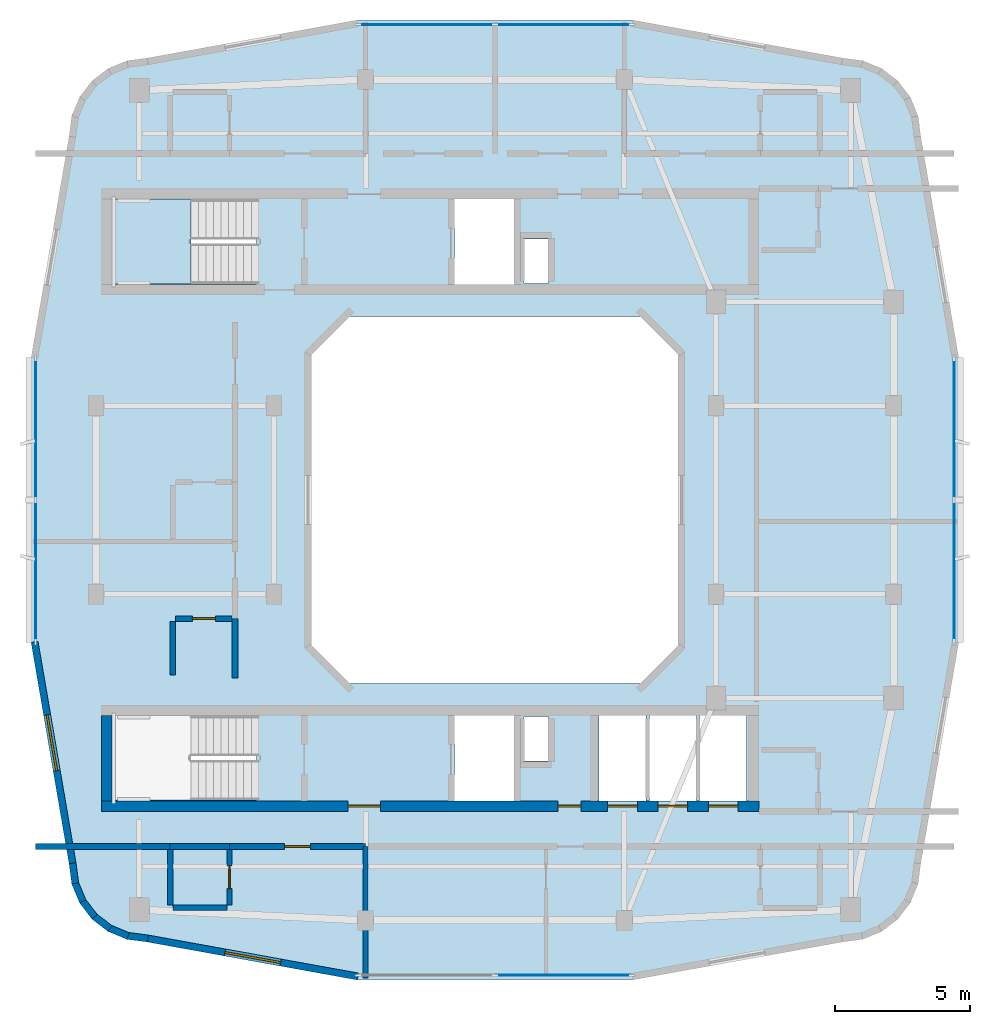
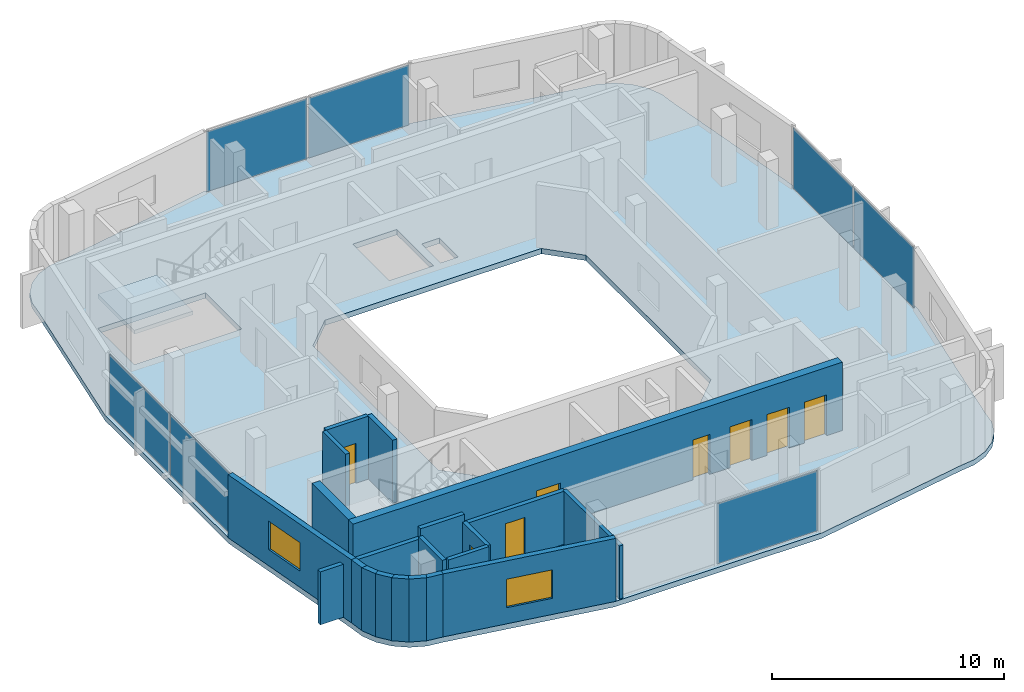
# One storey, part 3 of 8: 20 walls, 8 doors, 7 plates, 2 slabs, 2 windows, 10 openings, 5 elements without a shape of their own.
"""IFC4 building model written with IfcOpenShell, lengths in metres."""

from ifc_helpers import new_model, si_unit, derived_unit, direction, frame, frame_2d, origin, origin_2d, place, context, subcontext, project, spatial, polyline, rectangle, outline, extrude, material, layer, layer_set, type_object, element, fill, aggregate, save


model = new_model("IFC4")

# Units and contexts
model_context = context("Model", 3, precision=1e-05, world=origin(), true_north=direction((0.0, 1.0)))
body_context = subcontext(model_context, "Body", "Model", "MODEL_VIEW")
ifc_project = project(units=[si_unit("LENGTHUNIT", "METRE"), si_unit("AREAUNIT", "SQUARE_METRE"), si_unit("VOLUMEUNIT", "CUBIC_METRE"), si_unit("PLANEANGLEUNIT", "RADIAN"), si_unit("MASSUNIT", "GRAM", prefix="KILO"), derived_unit("THERMALTRANSMITTANCEUNIT", [(si_unit("POWERUNIT", "WATT"), 1), (si_unit("LENGTHUNIT", "METRE"), -2), (si_unit("THERMODYNAMICTEMPERATUREUNIT", "KELVIN"), -1)])], contexts=[model_context])

# Site, building, storey
site_placement = place(None, origin())
site = spatial("IfcSite", under=ifc_project, at=site_placement, CompositionType="ELEMENT")
building_placement = place(site_placement, origin())
building = spatial("IfcBuilding", under=site, at=building_placement, Name="Kivonza Crest Hotel", CompositionType="ELEMENT")
storey_placement = place(building_placement, frame((0.0, 0.0, 261.199951171875)))
storey = spatial("IfcBuildingStorey", under=building, at=storey_placement, Name="L71", CompositionType="ELEMENT", Elevation=261.199951171875)

# Curtain wall, plate
ifc_material_1 = material(Name="Anodised bronze aluminium and low-E double glazing", Category="aluminium")
ifc_layer_1 = layer(ifc_material_1, 0.179931640625)
ifc_layer_set_1 = layer_set([ifc_layer_1], Name="Anodised bronze aluminium and low-E double glazing")
curtain_wall_type = type_object("IfcCurtainWallType", Name="CW-SYS-3", PredefinedType="NOTDEFINED", material=ifc_layer_set_1)
curtain_wall_1_placement = place(storey_placement, origin())
curtain_wall_1 = element("IfcCurtainWall", 1, at=curtain_wall_1_placement, inside=storey, type_object=curtain_wall_type, Name="L71 unitised curtain wall CW-T1-L71-08", PredefinedType="NOTDEFINED")
ifc_material_2 = material(Name="Acoustic triple-laminated low-E glazing", Category="glass")
ifc_layer_2 = layer(ifc_material_2, 0.035888671875)
ifc_layer_set_2 = layer_set([ifc_layer_2], Name="Acoustic triple-laminated low-E glazing")
plate_type = type_object("IfcPlateType", Name="CW-PNL-36", PredefinedType="CURTAIN_PANEL", material=ifc_layer_set_2)
plate_1_placement = place(storey_placement, frame((23.541259765625, 7.360107421875, 0.0751953125), z_axis=(0.0, 0.0, 1.0), x_axis=(1.0, 0.0, 0.0)))
plate_1 = element("IfcPlate", 2, at=plate_1_placement, type_object=plate_type, Name="CW-3 panel 2.1", PredefinedType="CURTAIN_PANEL", context=body_context, shape_type="SweptSolid", body=[
    extrude(rectangle(XDim=5.007568359375, YDim=0.035888671875, at=origin_2d()), origin(), (0.0, 0.0, 1.0), 3.169921875),
])
aggregate(curtain_wall_1, [plate_1])

# Curtain wall, plates
curtain_wall_2_placement = place(storey_placement, origin())
curtain_wall_2 = element("IfcCurtainWall", 3, at=curtain_wall_2_placement, inside=storey, type_object=curtain_wall_type, Name="L71 unitised curtain wall CW-T1-L71-17", PredefinedType="NOTDEFINED")
plate_2_placement = place(storey_placement, frame((38.0400390625, 22.36865234375, 0.0751953125), z_axis=(0.0, 0.0, 1.0), x_axis=(0.0, 1.0, 0.0)))
plate_2 = element("IfcPlate", 4, at=plate_2_placement, type_object=plate_type, Name="CW-3 panel 1.1", PredefinedType="CURTAIN_PANEL", context=body_context, shape_type="SweptSolid", body=[
    extrude(rectangle(XDim=5.1875, YDim=0.035888671875, at=origin_2d()), origin(), (0.0, 0.0, 1.0), 3.169921875),
])
plate_3_placement = place(storey_placement, frame((38.0400390625, 27.63134765625, 0.0751953125), z_axis=(0.0, 0.0, 1.0), x_axis=(0.0, 1.0, 0.0)))
plate_3 = element("IfcPlate", 5, at=plate_3_placement, type_object=plate_type, Name="CW-3 panel 2.1", PredefinedType="CURTAIN_PANEL", context=body_context, shape_type="SweptSolid", body=[
    extrude(rectangle(XDim=5.1875, YDim=0.035888671875, at=origin_2d()), origin(), (0.0, 0.0, 1.0), 3.169921875),
])
aggregate(curtain_wall_2, [plate_2, plate_3])

curtain_wall_3_placement = place(storey_placement, origin())
curtain_wall_3 = element("IfcCurtainWall", 6, at=curtain_wall_3_placement, inside=storey, type_object=curtain_wall_type, Name="L71 unitised curtain wall CW-T1-L71-26", PredefinedType="NOTDEFINED")
plate_4_placement = place(storey_placement, frame((23.541259765625, 42.639892578125, 0.0751953125), z_axis=(0.0, 0.0, 1.0), x_axis=(-1.0, 0.0, 0.0)))
plate_4 = element("IfcPlate", 7, at=plate_4_placement, type_object=plate_type, Name="CW-3 panel 1.1", PredefinedType="CURTAIN_PANEL", context=body_context, shape_type="SweptSolid", body=[
    extrude(rectangle(XDim=5.007568359375, YDim=0.035888671875, at=origin_2d()), origin(), (0.0, 0.0, 1.0), 3.169921875),
])
plate_5_placement = place(storey_placement, frame((18.458740234375, 42.639892578125, 0.0751953125), z_axis=(0.0, 0.0, 1.0), x_axis=(-1.0, 0.0, 0.0)))
plate_5 = element("IfcPlate", 8, at=plate_5_placement, type_object=plate_type, Name="CW-3 panel 2.1", PredefinedType="CURTAIN_PANEL", context=body_context, shape_type="SweptSolid", body=[
    extrude(rectangle(XDim=5.007568359375, YDim=0.035888671875, at=origin_2d()), origin(), (0.0, 0.0, 1.0), 3.169921875),
])
aggregate(curtain_wall_3, [plate_4, plate_5])

curtain_wall_4_placement = place(storey_placement, origin())
curtain_wall_4 = element("IfcCurtainWall", 9, at=curtain_wall_4_placement, inside=storey, type_object=curtain_wall_type, Name="L71 unitised curtain wall CW-T1-L71-35", PredefinedType="NOTDEFINED")
plate_6_placement = place(storey_placement, frame((3.9599609375, 27.63134765625, 0.0751953125), z_axis=(0.0, 0.0, 1.0), x_axis=(0.0, -1.0, 0.0)))
plate_6 = element("IfcPlate", 10, at=plate_6_placement, type_object=plate_type, Name="CW-3 panel 1.1", PredefinedType="CURTAIN_PANEL", context=body_context, shape_type="SweptSolid", body=[
    extrude(rectangle(XDim=5.1875, YDim=0.035888671875, at=origin_2d()), origin(), (0.0, 0.0, 1.0), 3.169921875),
])
plate_7_placement = place(storey_placement, frame((3.9599609375, 22.36865234375, 0.0751953125), z_axis=(0.0, 0.0, 1.0), x_axis=(0.0, -1.0, 0.0)))
plate_7 = element("IfcPlate", 11, at=plate_7_placement, type_object=plate_type, Name="CW-3 panel 2.1", PredefinedType="CURTAIN_PANEL", context=body_context, shape_type="SweptSolid", body=[
    extrude(rectangle(XDim=5.1875, YDim=0.035888671875, at=origin_2d()), origin(), (0.0, 0.0, 1.0), 3.169921875),
])
aggregate(curtain_wall_4, [plate_6, plate_7])

# Slab
ifc_material_3 = material(Name="Concrete C40/50", Category="concrete")
ifc_layer_3 = layer(ifc_material_3, 0.280029296875)
ifc_layer_set_3 = layer_set([ifc_layer_3], Name="Concrete C40/50")
slab_type_1 = type_object("IfcSlabType", Name="SL-HTL-280", PredefinedType="FLOOR", material=ifc_layer_set_3)
slab_1_placement = place(storey_placement, frame((0.0, 0.0, -0.280029296875)))
element("IfcSlab", 12, at=slab_1_placement, inside=storey, type_object=slab_type_1, Name="Tower T1 L71 floor slab", PredefinedType="FLOOR", context=body_context, shape_type="SweptSolid", body=[
    extrude(outline(polyline([(5.199951171875, 11.5), (5.299072265625, 10.7490234375), (5.589111328125, 10.050048828125), (6.049072265625, 9.448974609375), (6.64990234375, 8.989013671875), (7.34912109375, 8.698974609375), (8.10009765625, 8.60009765625), (15.840087890625, 7.199951171875), (26.159912109375, 7.199951171875), (33.89990234375, 8.60009765625), (34.65087890625, 8.698974609375), (35.35009765625, 8.989013671875), (35.950927734375, 9.448974609375), (36.410888671875, 10.050048828125), (36.700927734375, 10.7490234375), (36.800048828125, 11.5), (38.199951171875, 19.659912109375), (38.199951171875, 30.340087890625), (36.800048828125, 38.5), (36.700927734375, 39.2509765625), (36.410888671875, 39.949951171875), (35.950927734375, 40.551025390625), (35.35009765625, 41.010986328125), (34.65087890625, 41.301025390625), (33.89990234375, 41.39990234375), (26.159912109375, 42.800048828125), (15.840087890625, 42.800048828125), (8.10009765625, 41.39990234375), (7.34912109375, 41.301025390625), (6.64990234375, 41.010986328125), (6.049072265625, 40.551025390625), (5.589111328125, 39.949951171875), (5.299072265625, 39.2509765625), (5.199951171875, 38.5), (3.800048828125, 30.340087890625), (3.800048828125, 19.659912109375), (5.199951171875, 11.5)]), holes=[polyline([(15.60009765625, 18.199951171875), (26.39990234375, 18.199951171875), (27.800048828125, 19.60009765625), (27.800048828125, 30.39990234375), (26.39990234375, 31.800048828125), (15.60009765625, 31.800048828125), (14.199951171875, 30.39990234375), (14.199951171875, 19.60009765625), (15.60009765625, 18.199951171875)]), polyline([(6.800048828125, 33.02001953125), (12.159912109375, 33.02001953125), (12.159912109375, 36.159912109375), (6.800048828125, 36.159912109375), (6.800048828125, 33.02001953125)]), polyline([(6.800048828125, 13.860107421875), (12.159912109375, 13.860107421875), (12.159912109375, 17.0), (6.800048828125, 17.0), (6.800048828125, 13.860107421875)]), polyline([(22.080078125, 33.0400390625), (22.969970703125, 33.0400390625), (22.969970703125, 34.679931640625), (22.080078125, 34.679931640625), (22.080078125, 33.0400390625)]), polyline([(22.080078125, 15.320068359375), (22.969970703125, 15.320068359375), (22.969970703125, 16.9599609375), (22.080078125, 16.9599609375), (22.080078125, 15.320068359375)]), polyline([(19.5, 33.0), (21.699951171875, 33.0), (21.699951171875, 36.159912109375), (19.5, 36.159912109375), (19.5, 33.0)]), polyline([(19.5, 13.840087890625), (21.699951171875, 13.840087890625), (21.699951171875, 17.0), (19.5, 17.0), (19.5, 13.840087890625)]), polyline([(24.860107421875, 13.840087890625), (26.60693359375, 13.840087890625), (26.60693359375, 17.0), (24.860107421875, 17.0), (24.860107421875, 13.840087890625)]), polyline([(26.72705078125, 13.840087890625), (28.472900390625, 13.840087890625), (28.472900390625, 17.0), (26.72705078125, 17.0), (26.72705078125, 13.840087890625)]), polyline([(28.593017578125, 13.840087890625), (30.340087890625, 13.840087890625), (30.340087890625, 17.0), (28.593017578125, 17.0), (28.593017578125, 13.840087890625)])]), origin(), (0.0, 0.0, 1.0), 0.280029296875),
])

# Stair, slab
stair_type = type_object("IfcStairType", Name="ST-DL-20R", PredefinedType="HALF_TURN_STAIR", material=ifc_material_3)
stair_placement = place(storey_placement, origin())
stair = element("IfcStair", 13, at=stair_placement, inside=storey, type_object=stair_type, Name="L71 Protected Exit Stair ST-T1-N", PredefinedType="HALF_TURN_STAIR")
ifc_layer_4 = layer(ifc_material_3, 0.199951171875)
ifc_layer_set_4 = layer_set([ifc_layer_4], Name="Concrete C40/50")
slab_type_2 = type_object("IfcSlabType", Name="SL-LAND-200", PredefinedType="LANDING", material=ifc_layer_set_4)
slab_2_placement = place(storey_placement, frame((0.0, 0.0, 1.60009765625)))
slab_2 = element("IfcSlab", 14, at=slab_2_placement, type_object=slab_type_2, Name="ST-T1-N landing 1", PredefinedType="LANDING", context=body_context, shape_type="SweptSolid", body=[
    extrude(outline(polyline([(9.719970703125, 36.159912109375), (6.800048828125, 36.159912109375), (6.800048828125, 33.02001953125), (9.719970703125, 33.02001953125), (9.719970703125, 36.159912109375)])), origin(), (0.0, 0.0, 1.0), 0.199951171875),
])
aggregate(stair, [slab_2])

# Walls
ifc_material_4 = material(Name="High-density acoustic masonry inter-tenancy wall", Category="masonry")
ifc_layer_5 = layer(ifc_material_4, 0.179931640625)
ifc_layer_set_5 = layer_set([ifc_layer_5], Name="High-density acoustic masonry inter-tenancy wall")
wall_type_1 = type_object("IfcWallType", Name="WL-ACOU-180", PredefinedType="SOLIDWALL", material=ifc_layer_set_5)
wall_1_placement = place(storey_placement, frame((16.199951171875, 7.260009765625, 0.0), z_axis=(0.0, 0.0, 1.0), x_axis=(0.0, 1.0, 0.0)))
element("IfcWall", 15, at=wall_1_placement, inside=storey, type_object=wall_type_1, Name="L71 interior partition WA-L71-T1S-DIV1", PredefinedType="SOLIDWALL", context=body_context, shape_type="SweptSolid", body=[
    extrude(rectangle(XDim=4.8798828125, YDim=0.179931640625, at=frame_2d((2.43994140625, 0.0))), origin(), (0.0, 0.0, 1.0), 2.795166015625),
])
ifc_material_5 = material(Name="Autoclaved aerated concrete blockwork", Category="masonry")
ifc_layer_6 = layer(ifc_material_5, 0.219970703125)
ifc_layer_set_6 = layer_set([ifc_layer_6], Name="Autoclaved aerated concrete blockwork")
wall_type_2 = type_object("IfcWallType", Name="WL-ACOU-220", PredefinedType="SOLIDWALL", material=ifc_layer_set_6)
wall_2_placement = place(storey_placement, frame((3.9599609375, 12.139892578125, 0.0), z_axis=(0.0, 0.0, 1.0), x_axis=(1.0, 0.0, 0.0)))
element("IfcWall", 16, at=wall_2_placement, inside=storey, type_object=wall_type_2, Name="L71 interior partition WA-L71-S03-XCORR", PredefinedType="SOLIDWALL", context=body_context, shape_type="SweptSolid", body=[
    extrude(rectangle(XDim=4.989990234375, YDim=0.219970703125, at=frame_2d((2.4951171875, 0.0))), origin(), (0.0, 0.0, 1.0), 2.795166015625),
])
wall_3_placement = place(storey_placement, frame((8.949951171875, 12.139892578125, 0.0), z_axis=(0.0, 0.0, 1.0), x_axis=(1.0, 0.0, 0.0)))
element("IfcWall", 17, at=wall_3_placement, inside=storey, type_object=wall_type_2, Name="L71 interior partition WA-L71-S03-BCORR", PredefinedType="SOLIDWALL", context=body_context, shape_type="SweptSolid", body=[
    extrude(rectangle(XDim=2.199951171875, YDim=0.219970703125, at=frame_2d((1.10009765625, 0.0))), origin(), (0.0, 0.0, 1.0), 3.320068359375),
])

# Wall, opening, door
wall_4_placement = place(storey_placement, frame((11.14990234375, 12.139892578125, 0.0), z_axis=(0.0, 0.0, 1.0), x_axis=(1.0, 0.0, 0.0)))
wall_4 = element("IfcWall", 18, at=wall_4_placement, inside=storey, type_object=wall_type_2, Name="L71 interior partition WA-L71-S03-MCORR", PredefinedType="SOLIDWALL", context=body_context, shape_type="SweptSolid", body=[
    extrude(rectangle(XDim=5.050048828125, YDim=0.219970703125, at=frame_2d((2.52490234375, 0.0))), origin(), (0.0, 0.0, 1.0), 2.795166015625),
])
opening_1_placement = place(wall_4_placement, frame((2.050048828125, 0.0, 0.0)))
opening_1 = element("IfcOpeningElement", 19, at=opening_1_placement, cuts=wall_4, Name="Opening DU-60", PredefinedType="OPENING", context=body_context, shape_type="SweptSolid", body=[
    extrude(rectangle(XDim=0.949951171875, YDim=2.10009765625, at=frame_2d((0.47509765625, 1.050048828125))), frame((0.0, 0.1201171875, 0.0), z_axis=(0.0, -1.0, 0.0), x_axis=(1.0, 0.0, 0.0)), (0.0, 0.0, 1.0), 0.239990234375),
])
ifc_material_6 = material(Name="Hardwood timber oak", Category="wood")
door_type_1 = type_object("IfcDoorType", Name="DR-UNIT-950", OperationType="NOTDEFINED", PredefinedType="DOOR", material=ifc_material_6)
door_1_placement = place(opening_1_placement, frame((0.949951171875, 0.0, 0.0), z_axis=(0.0, 0.0, 1.0), x_axis=(-1.0, 0.0, 0.0)))
door_1 = element("IfcDoor", 20, at=door_1_placement, inside=storey, type_object=door_type_1, Name="L71 S03 guest unit entrance fire door", OperationType="SINGLE_SWING_LEFT", OverallHeight=2.10009765625, OverallWidth=0.949951171875, PredefinedType="DOOR", context=body_context, shape_type="SweptSolid", body=[
    extrude(rectangle(XDim=0.949951171875, YDim=2.10009765625, at=frame_2d((0.47509765625, 1.050048828125))), frame((0.0, 0.02490234375, 0.0), z_axis=(0.0, -1.0, 0.0), x_axis=(1.0, 0.0, 0.0)), (0.0, 0.0, 1.0), 0.050048828125),
])
fill(opening_1, door_1)

# Wall
wall_5_placement = place(storey_placement, frame((11.35009765625, 18.39990234375, 0.0), z_axis=(0.0, 0.0, 1.0), x_axis=(0.0, 1.0, 0.0)))
element("IfcWall", 21, at=wall_5_placement, inside=storey, type_object=wall_type_2, Name="L71 interior partition WA-L71-W05-BCORR", PredefinedType="SOLIDWALL", context=body_context, shape_type="SweptSolid", body=[
    extrude(rectangle(XDim=2.2001953125, YDim=0.219970703125, at=frame_2d((1.10009765625, 0.0))), origin(), (0.0, 0.0, 1.0), 3.320068359375),
])

# Wall, openings, doors
ifc_material_7 = material(Name="Concrete C50/60", Category="concrete")
ifc_layer_7 = layer(ifc_material_7, 0.39990234375)
ifc_layer_set_7 = layer_set([ifc_layer_7], Name="Concrete C50/60")
wall_type_3 = type_object("IfcWallType", Name="WL-CORE-400", PredefinedType="SHEAR", material=ifc_layer_set_7)
wall_6_placement = place(storey_placement, frame((6.39990234375, 13.639892578125, 0.0), z_axis=(0.0, 0.0, 1.0), x_axis=(1.0, 0.0, 0.0)))
wall_6 = element("IfcWall", 22, at=wall_6_placement, inside=storey, type_object=wall_type_3, Name="Core wall T1-S South L71", PredefinedType="SHEAR", context=body_context, shape_type="SweptSolid", body=[
    extrude(rectangle(XDim=24.400146484375, YDim=0.39990234375, at=frame_2d((12.2001953125, 0.0))), origin(), (0.0, 0.0, 1.0), 3.60009765625),
])
opening_2_placement = place(wall_6_placement, frame((9.14990234375, 0.0, 0.0)))
opening_2 = element("IfcOpeningElement", 23, at=opening_2_placement, cuts=wall_6, Name="Opening DF-60", PredefinedType="OPENING", context=body_context, shape_type="SweptSolid", body=[
    extrude(rectangle(XDim=1.199951171875, YDim=2.14990234375, at=frame_2d((0.60009765625, 1.074951171875))), frame((0.0, 0.2099609375, 0.0), z_axis=(0.0, -1.0, 0.0), x_axis=(1.0, 0.0, 0.0)), (0.0, 0.0, 1.0), 0.419921875),
])
opening_3_placement = place(wall_6_placement, frame((16.93994140625, 0.0, 0.0)))
opening_3 = element("IfcOpeningElement", 24, at=opening_3_placement, cuts=wall_6, Name="Opening DF-60R", PredefinedType="OPENING", context=body_context, shape_type="SweptSolid", body=[
    extrude(rectangle(XDim=0.85009765625, YDim=2.10009765625, at=frame_2d((0.425048828125, 1.050048828125))), frame((0.0, 0.2099609375, 0.0), z_axis=(0.0, -1.0, 0.0), x_axis=(1.0, 0.0, 0.0)), (0.0, 0.0, 1.0), 0.419921875),
])
opening_4_placement = place(wall_6_placement, frame((18.782958984375, 0.0, 0.0)))
opening_4 = element("IfcOpeningElement", 25, at=opening_4_placement, cuts=wall_6, Name="Opening LD-120", PredefinedType="OPENING", context=body_context, shape_type="SweptSolid", body=[
    extrude(rectangle(XDim=1.10009765625, YDim=2.14990234375, at=frame_2d((0.550048828125, 1.074951171875))), frame((0.0, 0.2099609375, 0.0), z_axis=(0.0, -1.0, 0.0), x_axis=(1.0, 0.0, 0.0)), (0.0, 0.0, 1.0), 0.419921875),
])
opening_5_placement = place(wall_6_placement, frame((20.64990234375, 0.0, 0.0)))
opening_5 = element("IfcOpeningElement", 26, at=opening_5_placement, cuts=wall_6, Name="Opening LD-120", PredefinedType="OPENING", context=body_context, shape_type="SweptSolid", body=[
    extrude(rectangle(XDim=1.10009765625, YDim=2.14990234375, at=frame_2d((0.550048828125, 1.074951171875))), frame((0.0, 0.2099609375, 0.0), z_axis=(0.0, -1.0, 0.0), x_axis=(1.0, 0.0, 0.0)), (0.0, 0.0, 1.0), 0.419921875),
])
opening_6_placement = place(wall_6_placement, frame((22.51708984375, 0.0, 0.0)))
opening_6 = element("IfcOpeningElement", 27, at=opening_6_placement, cuts=wall_6, Name="Opening LD-120", PredefinedType="OPENING", context=body_context, shape_type="SweptSolid", body=[
    extrude(rectangle(XDim=1.10009765625, YDim=2.14990234375, at=frame_2d((0.550048828125, 1.074951171875))), frame((0.0, 0.2099609375, 0.0), z_axis=(0.0, -1.0, 0.0), x_axis=(1.0, 0.0, 0.0)), (0.0, 0.0, 1.0), 0.419921875),
])
door_type_2 = type_object("IfcDoorType", Name="DR-FD60-1200", OperationType="NOTDEFINED", PredefinedType="DOOR", material=ifc_material_6)
door_2_placement = place(opening_2_placement, frame((1.199951171875, 0.0, 0.0), z_axis=(0.0, 0.0, 1.0), x_axis=(-1.0, 0.0, 0.0)))
door_2 = element("IfcDoor", 28, at=door_2_placement, inside=storey, type_object=door_type_2, Name="L71 T1-S firefighting lobby fire door", OperationType="SINGLE_SWING_LEFT", OverallHeight=2.14990234375, OverallWidth=1.199951171875, PredefinedType="DOOR", context=body_context, shape_type="SweptSolid", body=[
    extrude(rectangle(XDim=1.199951171875, YDim=2.14990234375, at=frame_2d((0.60009765625, 1.074951171875))), frame((0.0, 0.02490234375, 0.0), z_axis=(0.0, -1.0, 0.0), x_axis=(1.0, 0.0, 0.0)), (0.0, 0.0, 1.0), 0.050048828125),
])
fill(opening_2, door_2)
door_type_3 = type_object("IfcDoorType", Name="DR-FD60-850", OperationType="NOTDEFINED", PredefinedType="DOOR", material=ifc_material_6)
door_3_placement = place(opening_3_placement, frame((0.85009765625, 0.0, 0.0), z_axis=(0.0, 0.0, 1.0), x_axis=(-1.0, 0.0, 0.0)))
door_3 = element("IfcDoor", 29, at=door_3_placement, inside=storey, type_object=door_type_3, Name="L71 T1-S core room door", OperationType="SINGLE_SWING_RIGHT", OverallHeight=2.10009765625, OverallWidth=0.85009765625, PredefinedType="DOOR", context=body_context, shape_type="SweptSolid", body=[
    extrude(rectangle(XDim=0.85009765625, YDim=2.10009765625, at=frame_2d((0.425048828125, 1.050048828125))), frame((0.0, 0.02490234375, 0.0), z_axis=(0.0, -1.0, 0.0), x_axis=(1.0, 0.0, 0.0)), (0.0, 0.0, 1.0), 0.050048828125),
])
fill(opening_3, door_3)
ifc_material_8 = material(Name="Stainless steel", Category="steel")
door_type_4 = type_object("IfcDoorType", Name="DR-LD120-1100", OperationType="NOTDEFINED", PredefinedType="DOOR", material=ifc_material_8)
door_4_placement = place(opening_4_placement, frame((1.10009765625, 0.0, 0.0), z_axis=(0.0, 0.0, 1.0), x_axis=(-1.0, 0.0, 0.0)))
door_4 = element("IfcDoor", 30, at=door_4_placement, inside=storey, type_object=door_type_4, Name="L71 PL-T1-H1 passenger lift sliding landing door", OperationType="DOUBLE_DOOR_SLIDING", OverallHeight=2.14990234375, OverallWidth=1.10009765625, PredefinedType="DOOR", context=body_context, shape_type="SweptSolid", body=[
    extrude(rectangle(XDim=1.10009765625, YDim=2.14990234375, at=frame_2d((0.550048828125, 1.074951171875))), frame((0.0, 0.02490234375, 0.0), z_axis=(0.0, -1.0, 0.0), x_axis=(1.0, 0.0, 0.0)), (0.0, 0.0, 1.0), 0.050048828125),
])
fill(opening_4, door_4)
door_5_placement = place(opening_5_placement, frame((1.10009765625, 0.0, 0.0), z_axis=(0.0, 0.0, 1.0), x_axis=(-1.0, 0.0, 0.0)))
door_5 = element("IfcDoor", 31, at=door_5_placement, inside=storey, type_object=door_type_4, Name="L71 PL-T1-H2 passenger lift sliding landing door", OperationType="DOUBLE_DOOR_SLIDING", OverallHeight=2.14990234375, OverallWidth=1.10009765625, PredefinedType="DOOR", context=body_context, shape_type="SweptSolid", body=[
    extrude(rectangle(XDim=1.10009765625, YDim=2.14990234375, at=frame_2d((0.550048828125, 1.074951171875))), frame((0.0, 0.02490234375, 0.0), z_axis=(0.0, -1.0, 0.0), x_axis=(1.0, 0.0, 0.0)), (0.0, 0.0, 1.0), 0.050048828125),
])
fill(opening_5, door_5)
door_6_placement = place(opening_6_placement, frame((1.10009765625, 0.0, 0.0), z_axis=(0.0, 0.0, 1.0), x_axis=(-1.0, 0.0, 0.0)))
door_6 = element("IfcDoor", 32, at=door_6_placement, inside=storey, type_object=door_type_4, Name="L71 PL-T1-H3 passenger lift sliding landing door", OperationType="DOUBLE_DOOR_SLIDING", OverallHeight=2.14990234375, OverallWidth=1.10009765625, PredefinedType="DOOR", context=body_context, shape_type="SweptSolid", body=[
    extrude(rectangle(XDim=1.10009765625, YDim=2.14990234375, at=frame_2d((0.550048828125, 1.074951171875))), frame((0.0, 0.02490234375, 0.0), z_axis=(0.0, -1.0, 0.0), x_axis=(1.0, 0.0, 0.0)), (0.0, 0.0, 1.0), 0.050048828125),
])
fill(opening_6, door_6)

# Walls
wall_7_placement = place(storey_placement, frame((6.60009765625, 13.840087890625, 0.0), z_axis=(0.0, 0.0, 1.0), x_axis=(0.0, 1.0, 0.0)))
element("IfcWall", 33, at=wall_7_placement, inside=storey, type_object=wall_type_3, Name="Core wall T1-S West L71", PredefinedType="SHEAR", context=body_context, shape_type="SweptSolid", body=[
    extrude(rectangle(XDim=3.159912109375, YDim=0.39990234375, at=frame_2d((1.580078125, 0.0))), origin(), (0.0, 0.0, 1.0), 3.60009765625),
])
ifc_material_9 = material(Name="Precast concrete C40/50", Category="concrete")
ifc_layer_8 = layer(ifc_material_9, 0.260009765625)
ifc_layer_set_8 = layer_set([ifc_layer_8], Name="Precast concrete C40/50")
wall_type_4 = type_object("IfcWallType", Name="WL-EXT-260", PredefinedType="STANDARD", material=ifc_layer_set_8)
wall_8_placement = place(storey_placement, frame((5.327880859375, 11.52490234375, 0.0), z_axis=(0.0, 0.0, 1.0), x_axis=(0.131190038694, -0.991357238208, 0.0)))
element("IfcWall", 34, at=wall_8_placement, inside=storey, type_object=wall_type_4, Name="L71 T1 exterior insulated wall 1", PredefinedType="STANDARD", context=body_context, shape_type="SweptSolid", body=[
    extrude(rectangle(XDim=0.755615234375, YDim=0.260009765625, at=frame_2d((0.3779296875, 0.0))), origin(), (0.0, 0.0, 1.0), 3.320068359375),
])
wall_9_placement = place(storey_placement, frame((5.408935546875, 10.822021484375, 0.0), z_axis=(0.0, 0.0, 1.0), x_axis=(0.383515061956, -0.923534621578, 0.0)))
element("IfcWall", 35, at=wall_9_placement, inside=storey, type_object=wall_type_4, Name="L71 T1 exterior insulated wall 2", PredefinedType="STANDARD", context=body_context, shape_type="SweptSolid", body=[
    extrude(rectangle(XDim=0.772216796875, YDim=0.260009765625, at=frame_2d((0.38623046875, 0.0))), origin(), (0.0, 0.0, 1.0), 3.320068359375),
])
for number, where, z_axis, x_axis, name in (
    (36, (5.677001953125, 10.14892578125, 0.0), (0.0, 0.0, 1.0), (0.607614460654, -0.794232124259, 0.0), "L71 T1 exterior insulated wall 3"),
    (37, (6.10791015625, 9.56689453125, 0.0), (0.0, 0.0, 1.0), (0.794232124259, -0.607614460654, 0.0), "L71 T1 exterior insulated wall 4"),
    (38, (6.677001953125, 9.118896484375, 0.0), (0.0, 0.0, 1.0), (0.92360011591, -0.383357308384, 0.0), "L71 T1 exterior insulated wall 5"),
):
    element("IfcWall", number, at=place(storey_placement, frame(where, z_axis=z_axis, x_axis=x_axis)), inside=storey, type_object=wall_type_4, Name=name, PredefinedType="STANDARD", context=body_context, shape_type="SweptSolid", body=[
        extrude(rectangle(XDim=0.77197265625, YDim=0.260009765625, at=frame_2d((0.385986328125, 0.0))), origin(), (0.0, 0.0, 1.0), 3.320068359375),
    ])
wall_10_placement = place(storey_placement, frame((7.341064453125, 8.8310546875, 0.0), z_axis=(0.0, 0.0, 1.0), x_axis=(0.991474252313, -0.130302751316, 0.0)))
element("IfcWall", 39, at=wall_10_placement, inside=storey, type_object=wall_type_4, Name="L71 T1 exterior insulated wall 6", PredefinedType="STANDARD", context=body_context, shape_type="SweptSolid", body=[
    extrude(rectangle(XDim=0.790771484375, YDim=0.260009765625, at=frame_2d((0.3955078125, 0.0))), origin(), (0.0, 0.0, 1.0), 3.320068359375),
])

# Wall, opening, window
wall_11_placement = place(storey_placement, frame((8.114990234375, 8.72900390625, 0.0), z_axis=(0.0, 0.0, 1.0), x_axis=(0.984039441158, -0.177950493803, 0.0)))
wall_11 = element("IfcWall", 40, at=wall_11_placement, inside=storey, type_object=wall_type_4, Name="L71 T1 exterior insulated wall 7", PredefinedType="STANDARD", context=body_context, shape_type="SweptSolid", body=[
    extrude(rectangle(XDim=7.928466796875, YDim=0.260009765625, at=frame_2d((3.96435546875, 0.0))), origin(), (0.0, 0.0, 1.0), 3.320068359375),
])
opening_7_placement = place(wall_11_placement, frame((2.9140625, 0.0, 0.85009765625)))
opening_7 = element("IfcOpeningElement", 41, at=opening_7_placement, cuts=wall_11, Name="Opening WN-04", PredefinedType="OPENING", context=body_context, shape_type="SweptSolid", body=[
    extrude(rectangle(XDim=2.10009765625, YDim=1.5, at=frame_2d((1.050048828125, 0.75))), frame((0.0, 0.14013671875, 0.0), z_axis=(0.0, -1.0, 0.0), x_axis=(1.0, 0.0, 0.0)), (0.0, 0.0, 1.0), 0.280029296875),
])
ifc_material_10 = material(Name="Thermally broken bronze aluminium and low-E double glazing", Category="aluminium")
window_type = type_object("IfcWindowType", Name="WN-210x150", PartitioningType="DOUBLE_PANEL_VERTICAL", PredefinedType="WINDOW", material=ifc_material_10)
window_1_placement = place(opening_7_placement, origin())
window_1 = element("IfcWindow", 42, at=window_1_placement, inside=storey, type_object=window_type, Name="L71 T1 facade window 7", OverallHeight=1.5, OverallWidth=2.10009765625, PartitioningType="SINGLE_PANEL", PredefinedType="WINDOW", context=body_context, shape_type="SweptSolid", body=[
    extrude(rectangle(XDim=2.10009765625, YDim=1.5, at=frame_2d((1.050048828125, 0.75))), frame((0.0, 0.030029296875, 0.0), z_axis=(0.0, -1.0, 0.0), x_axis=(1.0, 0.0, 0.0)), (0.0, 0.0, 1.0), 0.06005859375),
])
fill(opening_7, window_1)

wall_12_placement = place(storey_placement, frame((3.9189453125, 19.736083984375, 0.0), z_axis=(0.0, 0.0, 1.0), x_axis=(0.169038545376, -0.985609440994, 0.0)))
wall_12 = element("IfcWall", 43, at=wall_12_placement, inside=storey, type_object=wall_type_4, Name="L71 T1 exterior insulated wall 36", PredefinedType="STANDARD", context=body_context, shape_type="SweptSolid", body=[
    extrude(rectangle(XDim=8.34228515625, YDim=0.260009765625, at=frame_2d((4.171142578125, 0.0))), origin(), (0.0, 0.0, 1.0), 3.320068359375),
])
opening_8_placement = place(wall_12_placement, frame((2.74609375, 0.0, 0.85009765625)))
opening_8 = element("IfcOpeningElement", 44, at=opening_8_placement, cuts=wall_12, Name="Opening WN-04", PredefinedType="OPENING", context=body_context, shape_type="SweptSolid", body=[
    extrude(rectangle(XDim=2.10009765625, YDim=1.5, at=frame_2d((1.050048828125, 0.75))), frame((0.0, 0.14013671875, 0.0), z_axis=(0.0, -1.0, 0.0), x_axis=(1.0, 0.0, 0.0)), (0.0, 0.0, 1.0), 0.280029296875),
])
window_2_placement = place(opening_8_placement, origin())
window_2 = element("IfcWindow", 45, at=window_2_placement, inside=storey, type_object=window_type, Name="L71 T1 facade window 36", OverallHeight=1.5, OverallWidth=2.10009765625, PartitioningType="SINGLE_PANEL", PredefinedType="WINDOW", context=body_context, shape_type="SweptSolid", body=[
    extrude(rectangle(XDim=2.10009765625, YDim=1.5, at=frame_2d((1.050048828125, 0.75))), frame((0.0, 0.030029296875, 0.0), z_axis=(0.0, -1.0, 0.0), x_axis=(1.0, 0.0, 0.0)), (0.0, 0.0, 1.0), 0.06005859375),
])
fill(opening_8, window_2)

# Wall, opening, door
ifc_material_11 = material(Name="Moisture-resistant plumbing chase partition wall", Category="gypsum")
ifc_layer_9 = layer(ifc_material_11, 0.199951171875)
ifc_layer_set_9 = layer_set([ifc_layer_9], Name="Moisture-resistant plumbing chase partition wall")
wall_type_5 = type_object("IfcWallType", Name="WL-PLUMB-200", PredefinedType="PLUMBINGWALL", material=ifc_layer_set_9)
wall_13_placement = place(storey_placement, frame((11.14990234375, 9.968017578125, 0.0), z_axis=(0.0, 0.0, 1.0), x_axis=(0.0, 1.0, 0.0)))
wall_13 = element("IfcWall", 46, at=wall_13_placement, inside=storey, type_object=wall_type_5, Name="L71 interior partition WW-L71-S03-BV", PredefinedType="PLUMBINGWALL", context=body_context, shape_type="SweptSolid", body=[
    extrude(rectangle(XDim=2.072021484375, YDim=0.199951171875, at=frame_2d((1.0361328125, 0.0))), origin(), (0.0, 0.0, 1.0), 2.93505859375),
])
opening_9_placement = place(wall_13_placement, frame((0.611083984375, 0.0, 0.0)))
opening_9 = element("IfcOpeningElement", 47, at=opening_9_placement, cuts=wall_13, Name="Opening DI-85", PredefinedType="OPENING", context=body_context, shape_type="SweptSolid", body=[
    extrude(rectangle(XDim=0.85009765625, YDim=2.10009765625, at=frame_2d((0.425048828125, 1.050048828125))), frame((0.0, 0.10986328125, 0.0), z_axis=(0.0, -1.0, 0.0), x_axis=(1.0, 0.0, 0.0)), (0.0, 0.0, 1.0), 0.219970703125),
])
door_type_5 = type_object("IfcDoorType", Name="DR-INT-850", OperationType="NOTDEFINED", PredefinedType="DOOR", material=ifc_material_6)
door_7_placement = place(opening_9_placement, frame((0.85009765625, 0.0, 0.0), z_axis=(0.0, 0.0, 1.0), x_axis=(-1.0, 0.0, 0.0)))
door_7 = element("IfcDoor", 48, at=door_7_placement, inside=storey, type_object=door_type_5, Name="L71 S03 en-suite bathroom door", OperationType="SINGLE_SWING_RIGHT", OverallHeight=2.10009765625, OverallWidth=0.85009765625, PredefinedType="DOOR", context=body_context, shape_type="SweptSolid", body=[
    extrude(rectangle(XDim=0.85009765625, YDim=2.10009765625, at=frame_2d((0.425048828125, 1.050048828125))), frame((0.0, 0.02490234375, 0.0), z_axis=(0.0, -1.0, 0.0), x_axis=(1.0, 0.0, 0.0)), (0.0, 0.0, 1.0), 0.050048828125),
])
fill(opening_9, door_7)

# Walls
wall_14_placement = place(storey_placement, frame((9.050048828125, 9.867919921875, 0.0), z_axis=(0.0, 0.0, 1.0), x_axis=(1.0, 0.0, 0.0)))
element("IfcWall", 49, at=wall_14_placement, inside=storey, type_object=wall_type_5, Name="L71 interior partition WW-L71-S03-BH", PredefinedType="PLUMBINGWALL", context=body_context, shape_type="SweptSolid", body=[
    extrude(rectangle(XDim=2.0, YDim=0.199951171875, at=frame_2d((1.0, 0.0))), origin(), (0.0, 0.0, 1.0), 3.01513671875),
])
wall_15_placement = place(storey_placement, frame((8.949951171875, 9.968017578125, 0.0), z_axis=(0.0, 0.0, 1.0), x_axis=(0.0, 1.0, 0.0)))
element("IfcWall", 50, at=wall_15_placement, inside=storey, type_object=wall_type_5, Name="L71 interior partition WW-L71-S03-BVW", PredefinedType="PLUMBINGWALL", context=body_context, shape_type="SweptSolid", body=[
    extrude(rectangle(XDim=2.072021484375, YDim=0.199951171875, at=frame_2d((1.0361328125, 0.0))), origin(), (0.0, 0.0, 1.0), 2.93505859375),
])

# Wall, opening, door
wall_16_placement = place(storey_placement, frame((9.14990234375, 20.60009765625, 0.0), z_axis=(0.0, 0.0, 1.0), x_axis=(1.0, 0.0, 0.0)))
wall_16 = element("IfcWall", 51, at=wall_16_placement, inside=storey, type_object=wall_type_5, Name="L71 interior partition WW-L71-W05-BH", PredefinedType="PLUMBINGWALL", context=body_context, shape_type="SweptSolid", body=[
    extrude(rectangle(XDim=2.10009765625, YDim=0.199951171875, at=frame_2d((1.050048828125, 0.0))), origin(), (0.0, 0.0, 1.0), 3.320068359375),
])
opening_10_placement = place(wall_16_placement, frame((0.625, 0.0, 0.0)))
opening_10 = element("IfcOpeningElement", 52, at=opening_10_placement, cuts=wall_16, Name="Opening DI-85", PredefinedType="OPENING", context=body_context, shape_type="SweptSolid", body=[
    extrude(rectangle(XDim=0.85009765625, YDim=2.10009765625, at=frame_2d((0.425048828125, 1.050048828125))), frame((0.0, 0.10986328125, 0.0), z_axis=(0.0, -1.0, 0.0), x_axis=(1.0, 0.0, 0.0)), (0.0, 0.0, 1.0), 0.219970703125),
])
door_8_placement = place(opening_10_placement, origin())
door_8 = element("IfcDoor", 53, at=door_8_placement, inside=storey, type_object=door_type_5, Name="L71 W05 en-suite bathroom door", OperationType="SINGLE_SWING_RIGHT", OverallHeight=2.10009765625, OverallWidth=0.85009765625, PredefinedType="DOOR", context=body_context, shape_type="SweptSolid", body=[
    extrude(rectangle(XDim=0.85009765625, YDim=2.10009765625, at=frame_2d((0.425048828125, 1.050048828125))), frame((0.0, 0.02490234375, 0.0), z_axis=(0.0, -1.0, 0.0), x_axis=(1.0, 0.0, 0.0)), (0.0, 0.0, 1.0), 0.050048828125),
])
fill(opening_10, door_8)

# Wall
wall_17_placement = place(storey_placement, frame((9.050048828125, 18.5, 0.0), z_axis=(0.0, 0.0, 1.0), x_axis=(0.0, 1.0, 0.0)))
element("IfcWall", 54, at=wall_17_placement, inside=storey, type_object=wall_type_5, Name="L71 interior partition WW-L71-W05-BV", PredefinedType="PLUMBINGWALL", context=body_context, shape_type="SweptSolid", body=[
    extrude(rectangle(XDim=2.0, YDim=0.199951171875, at=frame_2d((1.0, 0.0))), origin(), (0.0, 0.0, 1.0), 3.320068359375),
])

save(model, "model.ifc")
